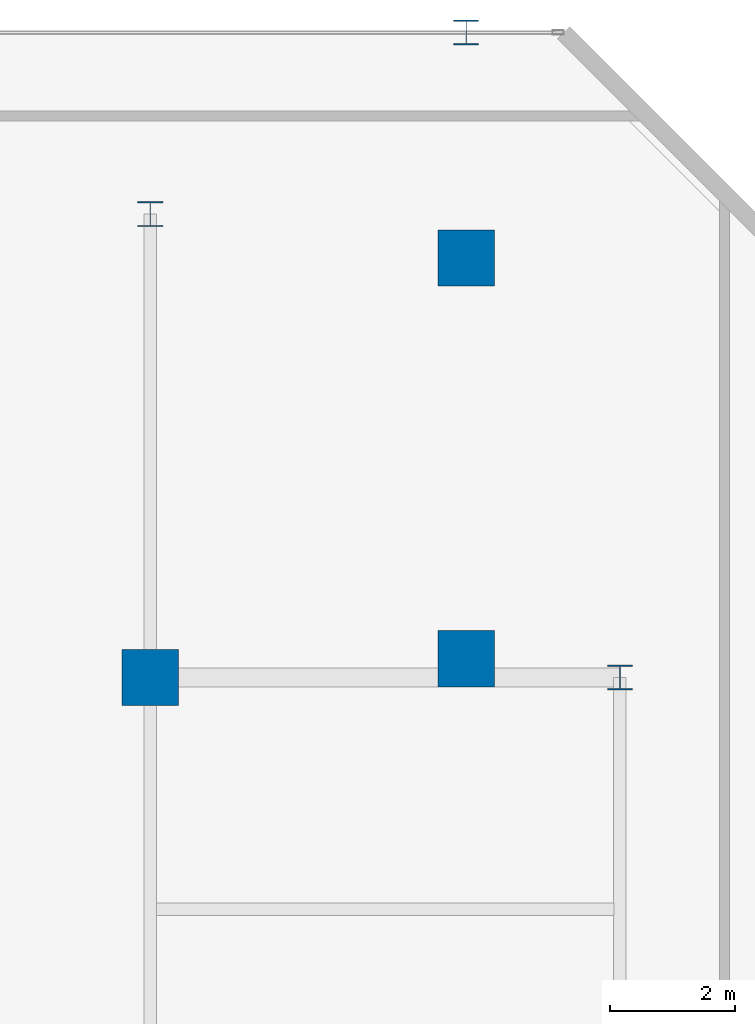
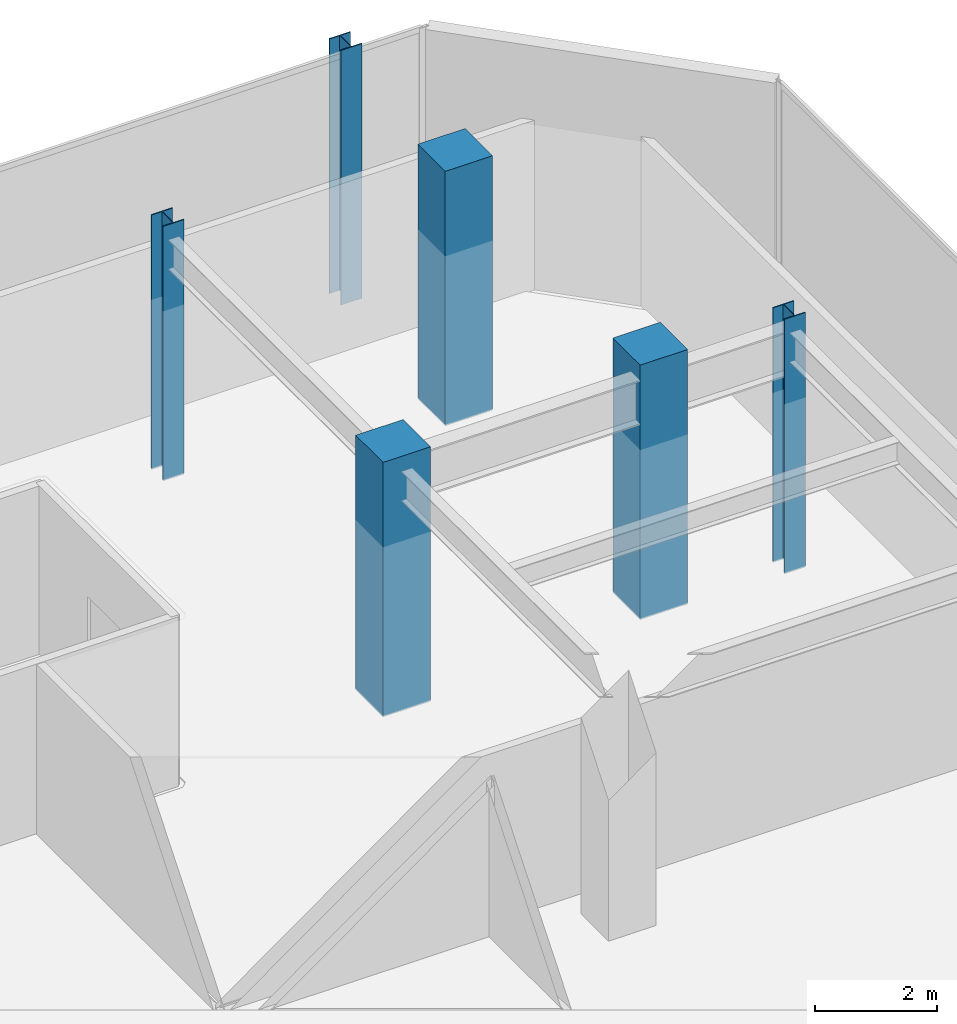
# One storey, part 4 of 40: 6 columns.
"""IFC4 building model written with IfcOpenShell, lengths in metres."""

from ifc_helpers import new_model, si_unit, direction, frame, origin, origin_2d, place, context, subcontext, project, spatial, rectangle, i_section, extrude, material, material_profile, profile_set, type_object, element, save


model = new_model("IFC4")

# Units and contexts
model_context = context("Model", 3, precision=1e-05, world=origin(), true_north=direction((0.0, 1.0)))
body_context = subcontext(model_context, "Body", "Model", "MODEL_VIEW")
ifc_project = project(units=[si_unit("LENGTHUNIT", "METRE"), si_unit("AREAUNIT", "SQUARE_METRE"), si_unit("VOLUMEUNIT", "CUBIC_METRE"), si_unit("PLANEANGLEUNIT", "RADIAN"), si_unit("MASSUNIT", "GRAM", prefix="KILO")], contexts=[model_context])

# Site, building, storey
site_placement = place(None, origin())
site = spatial("IfcSite", under=ifc_project, at=site_placement, CompositionType="ELEMENT")
building_placement = place(site_placement, origin())
building = spatial("IfcBuilding", under=site, at=building_placement, Name="Qianvela Tower", CompositionType="ELEMENT")
storey_placement = place(building_placement, frame((0.0, 0.0, 20.60009765625)))
storey = spatial("IfcBuildingStorey", under=building, at=storey_placement, Name="L04", CompositionType="ELEMENT", Elevation=20.60009765625)

# Columns
ifc_material_1 = material(Name="Steel Q355B", Category="steel")
ifc_material_profile_1 = material_profile(ifc_material_1, i_section(OverallWidth=0.39990234375, OverallDepth=0.39990234375, WebThickness=0.012939453125, FlangeThickness=0.02099609375, at=origin_2d()), Name="HW400x400x13x21")
ifc_profile_set_1 = profile_set([ifc_material_profile_1], Name="Steel Q355B")
column_type_1 = type_object("IfcColumnType", Name="COL-HW-400", PredefinedType="COLUMN", material=ifc_profile_set_1)
for number, where, z_axis, x_axis, name in (
    (1, (60.0, 44.60009765625, 0.0), (0.0, 0.0, 1.0), (1.0, 0.0, 0.0), "L04 Podium Grid Column P43"),
    (2, (67.5, 37.199951171875, 0.0), (0.0, 0.0, 1.0), (1.0, 0.0, 0.0), "L04 Podium Grid Column P47"),
    (3, (65.044677734375, 47.5, 0.0), (0.0, 0.0, 1.0), (1.0, 0.0, 0.0), "L04 V-Column Transfer Post VC-N3-R"),
):
    element("IfcColumn", number, at=place(storey_placement, frame(where, z_axis=z_axis, x_axis=x_axis)), inside=storey, type_object=column_type_1, Name=name, PredefinedType="COLUMN", context=body_context, shape_type="SweptSolid", body=[
        extrude(i_section(OverallWidth=0.39990234375, OverallDepth=0.39990234375, WebThickness=0.012939453125, FlangeThickness=0.02099609375, at=origin_2d()), origin(), (0.0, 0.0, 1.0), 5.099853515625),
    ])
ifc_material_2 = material(Name="Concrete C60", Category="concrete")
ifc_material_profile_2 = material_profile(ifc_material_2, rectangle(XDim=0.89990234375, YDim=0.89990234375, at=origin_2d()), Name="RC-COL-900x900")
ifc_profile_set_2 = profile_set([ifc_material_profile_2], Name="Concrete C60")
column_type_2 = type_object("IfcColumnType", Name="COL-RC-900", PredefinedType="COLUMN", material=ifc_profile_set_2)
for number, where, z_axis, x_axis, name in (
    (4, (65.044677734375, 43.89990234375, 0.0), (0.0, 0.0, 1.0), (1.0, 0.0, 0.0), "L04 Concourse Colonnade Column VC-N3-R-B1"),
    (5, (65.044677734375, 37.5, 0.0), (0.0, 0.0, 1.0), (1.0, 0.0, 0.0), "L04 Concourse Colonnade Column VC-N3-R-B2"),
    (6, (60.0, 37.199951171875, 0.0), (0.0, 0.0, 1.0), (1.0, 0.0, 0.0), "L04 Podium Grid Column P42"),
):
    element("IfcColumn", number, at=place(storey_placement, frame(where, z_axis=z_axis, x_axis=x_axis)), inside=storey, type_object=column_type_2, Name=name, PredefinedType="COLUMN", context=body_context, shape_type="SweptSolid", body=[
        extrude(rectangle(XDim=0.89990234375, YDim=0.89990234375, at=origin_2d()), origin(), (0.0, 0.0, 1.0), 5.099853515625),
    ])

save(model, "model.ifc")
